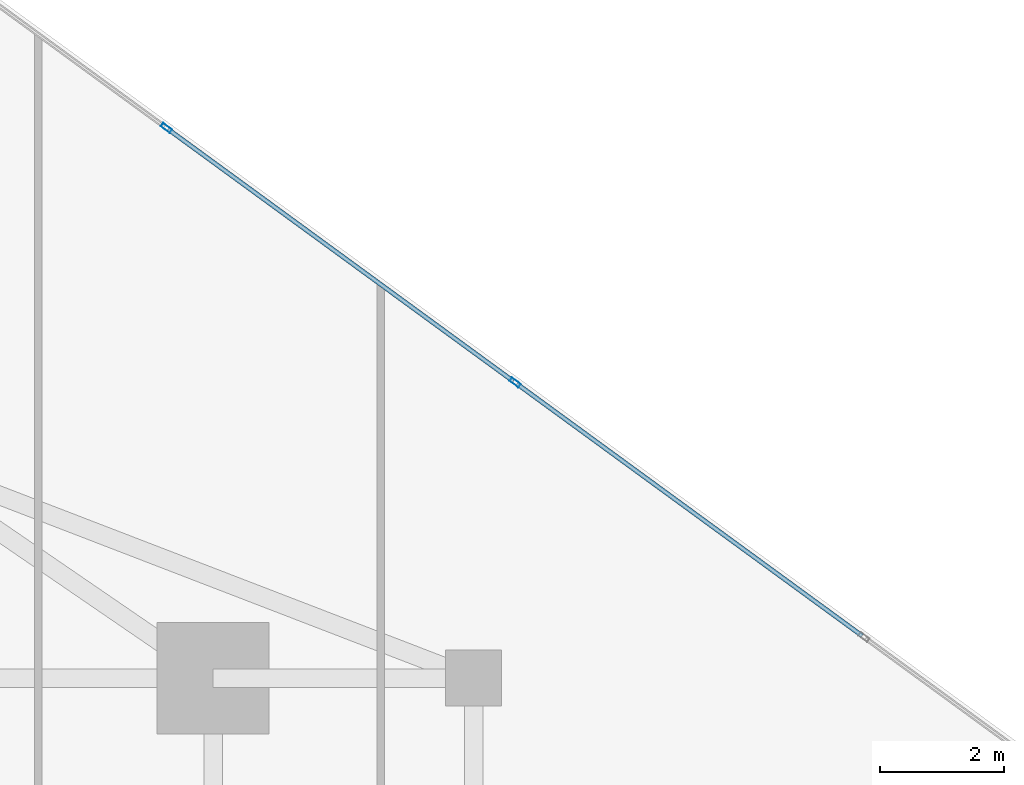
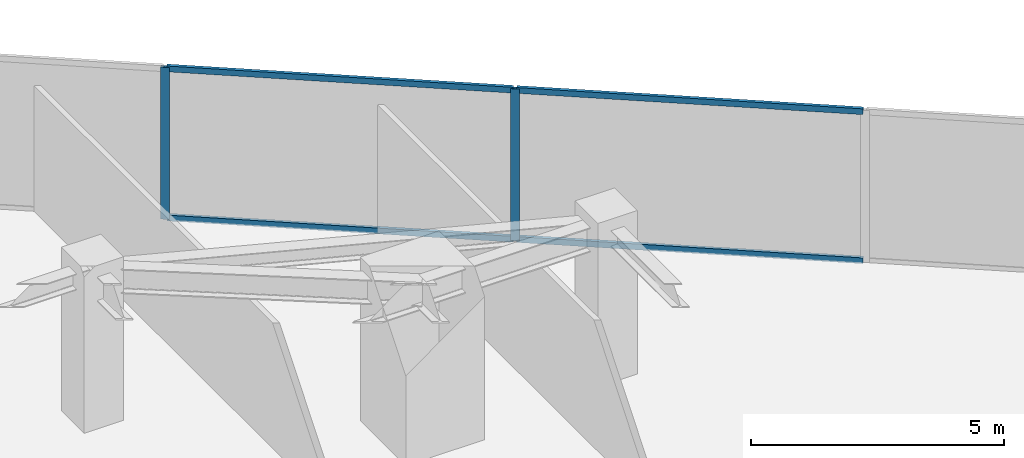
# One storey, part 17 of 25: 6 members, 1 element without a shape of its own.
"""IFC4 building model written with IfcOpenShell, lengths in metres."""

from ifc_helpers import new_model, si_unit, direction, frame, origin, origin_2d, place, context, subcontext, project, spatial, hollow_rectangle, extrude, source, transform, mapped, material, material_profile, profile_set, type_object, type_shapes, element, aggregate, save


model = new_model("IFC4")

# Units and contexts
model_context = context("Model", 3, precision=1e-05, world=origin(), true_north=direction((0.0, 1.0)))
body_context = subcontext(model_context, "Body", "Model", "MODEL_VIEW")
ifc_project = project(units=[si_unit("LENGTHUNIT", "METRE"), si_unit("AREAUNIT", "SQUARE_METRE"), si_unit("VOLUMEUNIT", "CUBIC_METRE"), si_unit("PLANEANGLEUNIT", "RADIAN"), si_unit("MASSUNIT", "GRAM", prefix="KILO")], contexts=[model_context])

# Site, building, storey
site_placement = place(None, origin())
site = spatial("IfcSite", under=ifc_project, at=site_placement, CompositionType="ELEMENT")
building_placement = place(site_placement, origin())
building = spatial("IfcBuilding", under=site, at=building_placement, Name="Krantzveldt Concourse Tower", CompositionType="ELEMENT")
storey_placement = place(building_placement, frame((0.0, 0.0, 193.60009765625)))
storey = spatial("IfcBuildingStorey", under=building, at=storey_placement, Name="L47", CompositionType="ELEMENT", Elevation=193.60009765625)

# Curtain wall, members
ifc_material = material(Name="Anodised aluminium 6063-T6", Category="aluminium")
curtain_wall_type = type_object("IfcCurtainWallType", Name="CW3", PredefinedType="USERDEFINED", material=ifc_material)
curtain_wall_placement = place(storey_placement, origin())
curtain_wall = element("IfcCurtainWall", 1, at=curtain_wall_placement, inside=storey, type_object=curtain_wall_type, Name="CW-L47-F10", ObjectType="UNITISED CURTAIN WALL", PredefinedType="USERDEFINED")
ifc_material_profile_1 = material_profile(ifc_material, hollow_rectangle(XDim=0.070068359375, YDim=0.179931640625, WallThickness=0.0048828125, at=origin_2d()), Name="Anodised aluminium 6063-T6", Category="aluminium")
ifc_profile_set_1 = profile_set([ifc_material_profile_1], Name="Anodised aluminium 6063-T6 - ALU-MULL 180x70x5")
member_type_1 = type_object("IfcMemberType", Name="CW-MUL-180", PredefinedType="MULLION", material=ifc_profile_set_1)
shared_shape_1 = source(origin(), body_context, "Body", "SweptSolid", [
    extrude(hollow_rectangle(XDim=0.070068359375, YDim=0.179931640625, WallThickness=0.0048828125, at=origin_2d()), origin(), (0.0, 0.0, 1.0), 3.669921875),
])
type_shapes(member_type_1, [shared_shape_1])
member_1_placement = place(storey_placement, frame((51.6689453125, 42.26513671875, 0.0), z_axis=(0.0, 0.0, 1.0), x_axis=(-0.589548833895, -0.807732735781, 0.0)))
member_1 = element("IfcMember", 2, at=member_1_placement, type_object=member_type_1, Name="CW-Z34 mullion 3", PredefinedType="MULLION", context=body_context, shape_type="MappedRepresentation", body=[
    mapped(shared_shape_1, transform((0.0, 0.0, 0.0), x_axis=(1.0, 0.0, 0.0), y_axis=(0.0, 1.0, 0.0), z_axis=(0.0, 0.0, 1.0), scale=1.0)),
])
member_2_placement = place(storey_placement, frame((46.047119140625, 46.3681640625, 0.0), z_axis=(0.0, 0.0, 1.0), x_axis=(-0.589548833895, -0.807732735781, 0.0)))
member_2 = element("IfcMember", 3, at=member_2_placement, type_object=member_type_1, Name="CW-Z34 mullion 4", PredefinedType="MULLION", context=body_context, shape_type="MappedRepresentation", body=[
    mapped(shared_shape_1, transform((0.0, 0.0, 0.0), x_axis=(1.0, 0.0, 0.0), y_axis=(0.0, 1.0, 0.0), z_axis=(0.0, 0.0, 1.0), scale=1.0)),
])
ifc_material_profile_2 = material_profile(ifc_material, hollow_rectangle(XDim=0.070068359375, YDim=0.139892578125, WallThickness=0.0048828125, at=origin_2d()), Name="Anodised aluminium 6063-T6", Category="aluminium")
ifc_profile_set_2 = profile_set([ifc_material_profile_2], Name="Anodised aluminium 6063-T6 - ALU-TRAN 140x70x5")
member_type_2 = type_object("IfcMemberType", Name="CW-TRN-150", PredefinedType="USERDEFINED", material=ifc_profile_set_2)
shared_shape_2 = source(origin(), body_context, "Body", "SweptSolid", [
    extrude(hollow_rectangle(XDim=0.070068359375, YDim=0.139892578125, WallThickness=0.0048828125, at=origin_2d()), origin(), (0.0, 0.0, 1.0), 6.889892578125),
])
type_shapes(member_type_2, [shared_shape_2])
member_3_placement = place(storey_placement, frame((57.262451171875, 38.182373046875, 0.034912109375), z_axis=(-0.807726644352, 0.589557179589, 0.0), x_axis=(-0.589557179589, -0.807726644352, 0.0)))
member_3 = element("IfcMember", 4, at=member_3_placement, type_object=member_type_2, Name="CW-Z34 transom 2.1", ObjectType="TRANSOM", PredefinedType="USERDEFINED", context=body_context, shape_type="MappedRepresentation", body=[
    mapped(shared_shape_2, transform((0.0, 0.0, 0.0), x_axis=(1.0, 0.0, 0.0), y_axis=(0.0, 1.0, 0.0), z_axis=(0.0, 0.0, 1.0), scale=1.0)),
])
member_4_placement = place(storey_placement, frame((57.262451171875, 38.182373046875, 3.635009765625), z_axis=(-0.807726644352, 0.589557179589, 0.0), x_axis=(-0.589557179589, -0.807726644352, 0.0)))
member_4 = element("IfcMember", 5, at=member_4_placement, type_object=member_type_2, Name="CW-Z34 transom 2.2", ObjectType="TRANSOM", PredefinedType="USERDEFINED", context=body_context, shape_type="MappedRepresentation", body=[
    mapped(shared_shape_2, transform((0.0, 0.0, 0.0), x_axis=(1.0, 0.0, 0.0), y_axis=(0.0, 1.0, 0.0), z_axis=(0.0, 0.0, 1.0), scale=1.0)),
])
member_5_placement = place(storey_placement, frame((51.640625, 42.28564453125, 0.034912109375), z_axis=(-0.807726644352, 0.589557179589, 0.0), x_axis=(-0.589557179589, -0.807726644352, 0.0)))
member_5 = element("IfcMember", 6, at=member_5_placement, type_object=member_type_2, Name="CW-Z34 transom 3.1", ObjectType="TRANSOM", PredefinedType="USERDEFINED", context=body_context, shape_type="MappedRepresentation", body=[
    mapped(shared_shape_2, transform((0.0, 0.0, 0.0), x_axis=(1.0, 0.0, 0.0), y_axis=(0.0, 1.0, 0.0), z_axis=(0.0, 0.0, 1.0), scale=1.0)),
])
member_6_placement = place(storey_placement, frame((51.640625, 42.28564453125, 3.635009765625), z_axis=(-0.807726644352, 0.589557179589, 0.0), x_axis=(-0.589557179589, -0.807726644352, 0.0)))
member_6 = element("IfcMember", 7, at=member_6_placement, type_object=member_type_2, Name="CW-Z34 transom 3.2", ObjectType="TRANSOM", PredefinedType="USERDEFINED", context=body_context, shape_type="MappedRepresentation", body=[
    mapped(shared_shape_2, transform((0.0, 0.0, 0.0), x_axis=(1.0, 0.0, 0.0), y_axis=(0.0, 1.0, 0.0), z_axis=(0.0, 0.0, 1.0), scale=1.0)),
])
aggregate(curtain_wall, [member_1, member_2, member_3, member_4, member_5, member_6])

save(model, "model.ifc")
